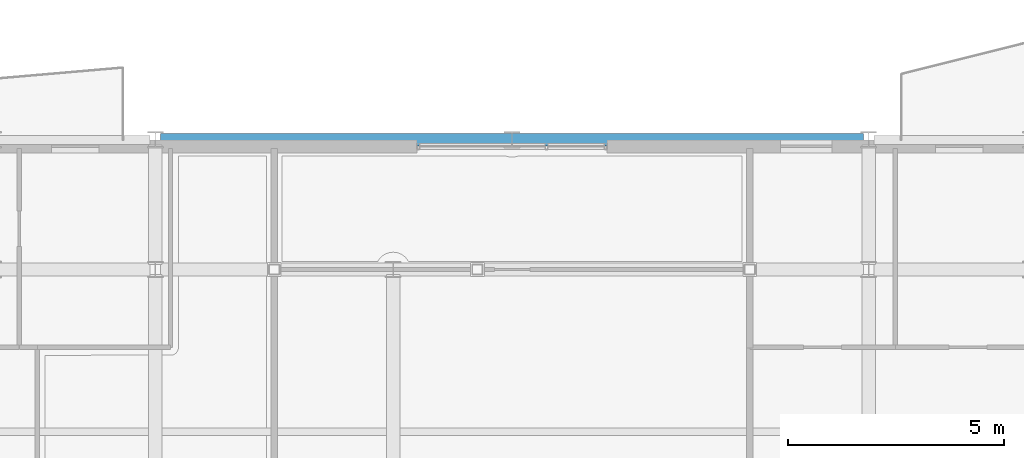
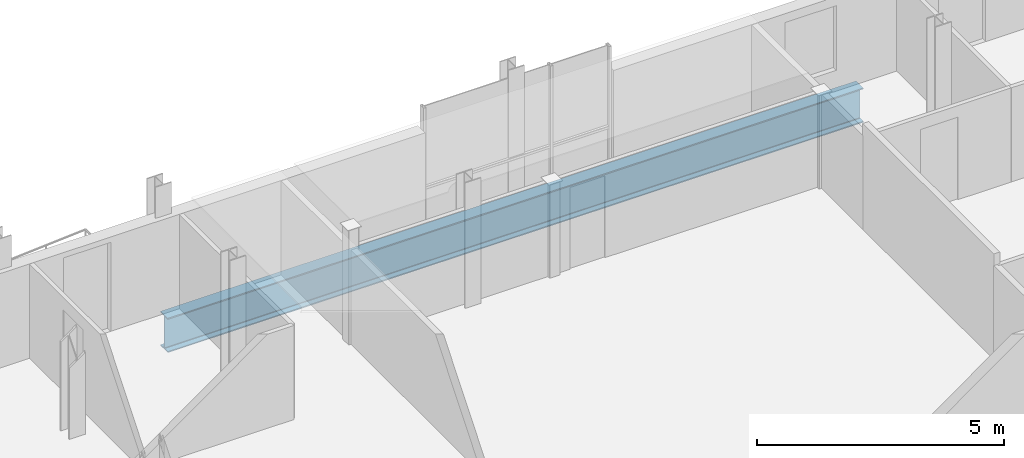
# One storey, part 11 of 35: 1 beam.
"""IFC4 building model written with IfcOpenShell, lengths in metres."""

from ifc_helpers import new_model, si_unit, direction, frame, origin, origin_2d, place, context, subcontext, project, spatial, i_section, extrude, material, material_profile, profile_set, type_object, element, save


model = new_model("IFC4")

# Units and contexts
model_context = context("Model", 3, precision=1e-05, world=origin(), true_north=direction((0.0, 1.0)))
body_context = subcontext(model_context, "Body", "Model", "MODEL_VIEW")
ifc_project = project(units=[si_unit("LENGTHUNIT", "METRE"), si_unit("AREAUNIT", "SQUARE_METRE"), si_unit("VOLUMEUNIT", "CUBIC_METRE"), si_unit("PLANEANGLEUNIT", "RADIAN"), si_unit("MASSUNIT", "GRAM", prefix="KILO")], contexts=[model_context])

# Site, building, storey
site_placement = place(None, origin())
site = spatial("IfcSite", under=ifc_project, at=site_placement, CompositionType="ELEMENT")
building_placement = place(site_placement, origin())
building = spatial("IfcBuilding", under=site, at=building_placement, Name="Brevholm Reach", CompositionType="ELEMENT")
storey_placement = place(building_placement, frame((0.0, 0.0, 218.0)))
storey = spatial("IfcBuildingStorey", under=building, at=storey_placement, Name="L66", CompositionType="ELEMENT", Elevation=218.0)

# Beam
ifc_material = material(Name="Structural Steel S355J2", Category="steel")
ifc_material_profile = material_profile(ifc_material, i_section(OverallWidth=0.293701171875, OverallDepth=0.850830078125, WebThickness=0.01611328125, FlangeThickness=0.02685546875, FilletRadius=0.017822265625, at=origin_2d()), Name="UKB 838x292x226")
ifc_profile_set = profile_set([ifc_material_profile], Name="Structural Steel S355J2")
beam_type = type_object("IfcBeamType", Name="BM-UKB838", PredefinedType="USERDEFINED", material=ifc_profile_set)
beam_placement = place(storey_placement, frame((21.8701171875, 26.5, -0.695556640625), z_axis=(1.0, 0.0, 0.0), x_axis=(0.0, 1.0, 0.0)))
element("IfcBeam", 1, at=beam_placement, inside=storey, type_object=beam_type, Name="L66 G-03 Framing Beam", ObjectType="GIRDER", PredefinedType="USERDEFINED", context=body_context, shape_type="SweptSolid", body=[
    extrude(i_section(OverallWidth=0.293701171875, OverallDepth=0.850830078125, WebThickness=0.01611328125, FlangeThickness=0.02685546875, FilletRadius=0.017822265625, at=origin_2d()), origin(), (0.0, 0.0, 1.0), 16.259765625),
])

save(model, "model.ifc")
